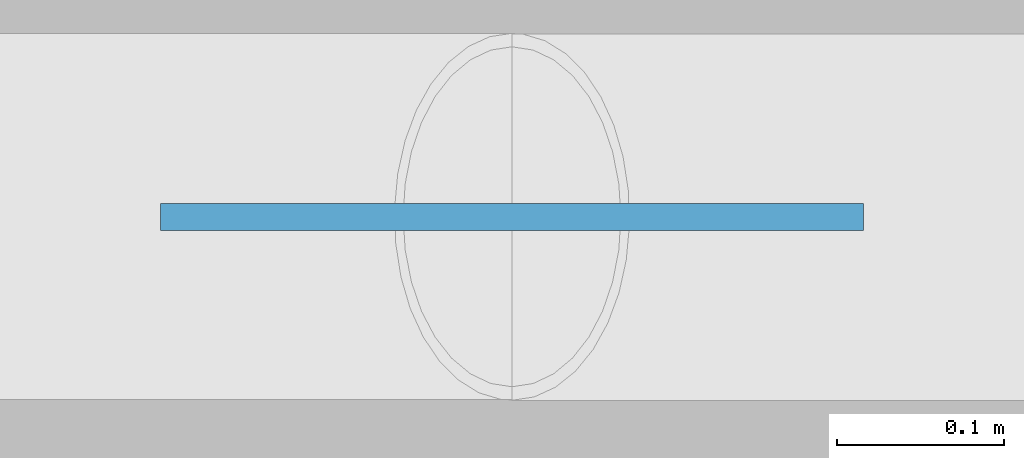
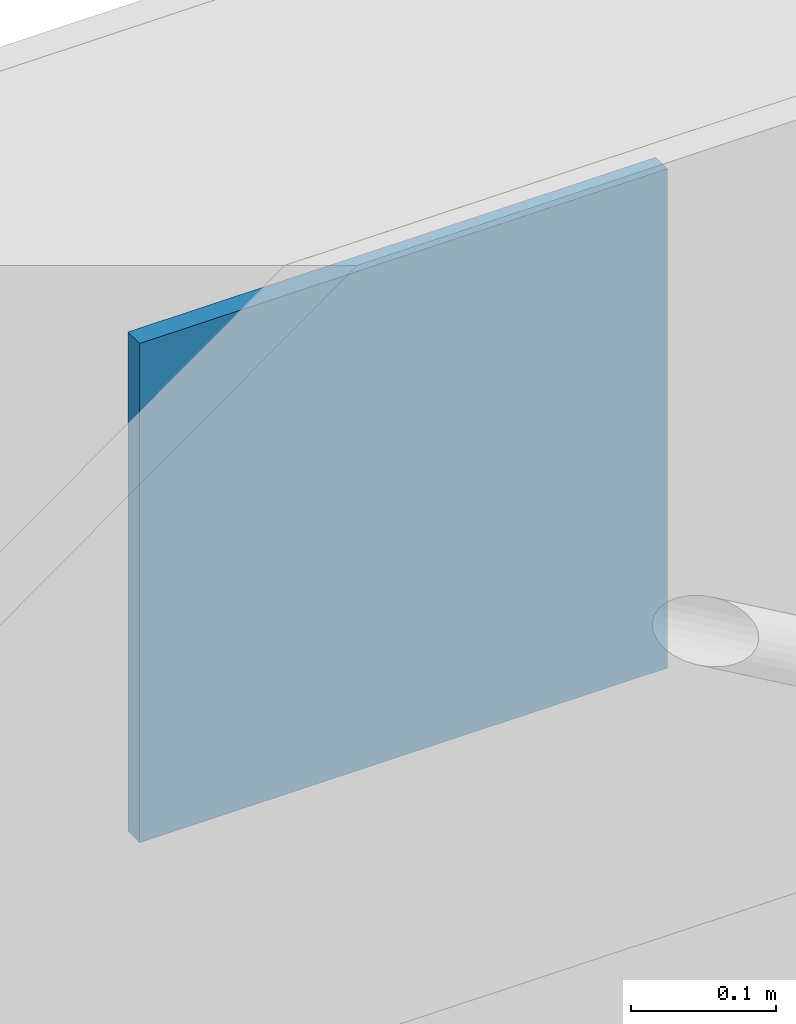
# One storey, part 5 of 13: 1 plate.
"""IFC4 building model written with IfcOpenShell, lengths in metres."""

import ifcopenshell
import ifcopenshell.guid

model = None  # the IFC model being written
_history = None  # IfcOwnerHistory: only IFC2X3 demands one
_inside = {}  # id of a spatial element -> (the spatial element, [elements in it])
_under = {}  # id of a project, library or spatial element -> (it, [spatial elements below it])
_declared = {}  # id of a project -> (the project, [libraries it declares])
_typed = {}  # id of a type object -> (the type object, [elements of that type])
_made_of = {}  # id of a material, layer set ... -> (it, [elements and type objects made of it])


def new_model(schema):
    """Start an empty IFC model of exactly this schema.

    Asked for "IFC4X3", IfcOpenShell would pick the latest addendum, in which some entities
    have other attributes; the version numbers below select the first issue.
    IFC2X3 requires an IfcOwnerHistory on every rooted entity: one is made here for all.
    """
    global model, _history
    if schema == "IFC4X3":
        model = ifcopenshell.file(schema_version=(4, 3, 0, 0))
    else:
        model = ifcopenshell.file(schema=schema)
    _inside.clear()
    _under.clear()
    _declared.clear()
    _typed.clear()
    _made_of.clear()
    _history = None
    if model.schema == "IFC2X3":
        org = make("IfcOrganization", Name="unknown")
        user = make(
            "IfcPersonAndOrganization",
            ThePerson=make("IfcPerson", FamilyName="unknown"),
            TheOrganization=org,
        )
        app = make(
            "IfcApplication",
            ApplicationDeveloper=org,
            Version="unknown",
            ApplicationFullName="unknown",
            ApplicationIdentifier="unknown",
        )
        _history = make(
            "IfcOwnerHistory",
            OwningUser=user,
            OwningApplication=app,
            ChangeAction="ADDED",
            CreationDate=0,
        )
    return model


def make(cls, **values):
    """One entity of the class cls with the attributes given. An attribute that is None is left unset."""
    return model.create_entity(
        cls, **{name: value for name, value in values.items() if value is not None}
    )


def rooted(cls, **values):
    """An entity with a GlobalId (a new one), such as an element, a storey or a relation."""
    return make(cls, GlobalId=ifcopenshell.guid.new(), OwnerHistory=_history, **values)


def si_unit(unit_type, name, prefix=None):
    """IfcSIUnit, for example si_unit("LENGTHUNIT", "METRE", prefix="MILLI")."""
    return make("IfcSIUnit", UnitType=unit_type, Prefix=prefix, Name=name)


def assignment(units):
    """IfcUnitAssignment: the units of a project."""
    return None if units is None else make("IfcUnitAssignment", Units=units)


def point(xyz):
    """IfcCartesianPoint."""
    return None if xyz is None else make("IfcCartesianPoint", Coordinates=xyz)


def direction(xyz):
    """IfcDirection."""
    return None if xyz is None else make("IfcDirection", DirectionRatios=xyz)


def frame(location, z_axis=None, x_axis=None):
    """IfcAxis2Placement3D, a coordinate frame: its origin and axes. An axis left out is left unset."""
    return make(
        "IfcAxis2Placement3D",
        Location=point(location),
        Axis=direction(z_axis),
        RefDirection=direction(x_axis),
    )


def frame_2d(location, x_axis=None):
    """IfcAxis2Placement2D, a coordinate frame in the plane: its origin and x axis."""
    return make(
        "IfcAxis2Placement2D", Location=point(location), RefDirection=direction(x_axis)
    )


def origin():
    """The frame at (0, 0, 0) with its axes left unset."""
    return frame((0.0, 0.0, 0.0))


def origin_2d():
    """The frame at (0, 0) in the plane with its x axis left unset."""
    return frame_2d((0.0, 0.0))


def place(relative_to, where):
    """IfcLocalPlacement: puts the frame where relative to a parent placement (None: the world)."""
    return make(
        "IfcLocalPlacement", PlacementRelTo=relative_to, RelativePlacement=where
    )


def context(
    kind, dimensions, precision=None, world=None, true_north=None, identifier=None
):
    """IfcGeometricRepresentationContext, for example the 3D "Model" context."""
    return make(
        "IfcGeometricRepresentationContext",
        ContextIdentifier=identifier,
        ContextType=kind,
        CoordinateSpaceDimension=dimensions,
        Precision=precision,
        WorldCoordinateSystem=world,
        TrueNorth=true_north,
    )


def subcontext(parent, identifier, kind, view, scale=None):
    """IfcGeometricRepresentationSubContext, for example "Body" below "Model"."""
    return make(
        "IfcGeometricRepresentationSubContext",
        ContextIdentifier=identifier,
        ContextType=kind,
        ParentContext=parent,
        TargetScale=scale,
        TargetView=view,
    )


def project(units=None, contexts=None):
    """IfcProject with its units and contexts."""
    return rooted(
        "IfcProject",
        Name="project",
        RepresentationContexts=contexts,
        UnitsInContext=assignment(units),
    )


def spatial(cls, under=None, at=None, **own):
    """A site, building, storey or space (cls), placed at a placement, below another one or the project."""
    s = rooted(cls, ObjectPlacement=at, **own)
    if under is not None:
        _under.setdefault(under.id(), (under, []))[1].append(s)
    return s


def profile(cls, at=None, kind="AREA", **sizes):
    """A parametric profile (cls). Its sizes go by their IFC names, for example OverallWidth=200.0."""
    return make(cls, ProfileType=kind, Position=at, **sizes)


def rectangle(**sizes):
    """IfcRectangleProfileDef."""
    return profile("IfcRectangleProfileDef", **sizes)


def extrude(swept, where, along, depth):
    """IfcExtrudedAreaSolid: the profile swept, set in the frame where, extruded along a direction by depth."""
    return make(
        "IfcExtrudedAreaSolid",
        SweptArea=swept,
        Position=where,
        ExtrudedDirection=direction(along),
        Depth=depth,
    )


def shape(context_of_items, identifier, shape_type, items):
    """IfcShapeRepresentation: the items that make up one representation, for example the "Body"."""
    return make(
        "IfcShapeRepresentation",
        ContextOfItems=context_of_items,
        RepresentationIdentifier=identifier,
        RepresentationType=shape_type,
        Items=items,
    )


def material(Name=None, Category=None):
    """IfcMaterial."""
    return make("IfcMaterial", Name=Name, Category=Category)


def layer(
    of_material, thickness, ventilated=None, Name=None, Category=None, Priority=None
):
    """IfcMaterialLayer: one layer of a wall or slab, of a material (None: an air gap)."""
    return make(
        "IfcMaterialLayer",
        Material=of_material,
        LayerThickness=thickness,
        IsVentilated=ventilated,
        Name=Name,
        Category=Category,
        Priority=Priority,
    )


def layer_set(layers, Name=None):
    """IfcMaterialLayerSet."""
    return make("IfcMaterialLayerSet", MaterialLayers=layers, LayerSetName=Name)


def made_of(thing, what):
    """Note that an element or type object is made of a material, layer set ...; save() writes the relation."""
    if what is not None:
        _made_of.setdefault(what.id(), (what, []))[1].append(thing)
    return thing


def type_object(cls, material=None, **own):
    """A type object (cls), such as IfcWallType, which elements share."""
    return made_of(rooted(cls, **own), material)


def element(
    cls,
    number,
    at=None,
    inside=None,
    cuts=None,
    type_object=None,
    material=None,
    context=None,
    identifier="Body",
    shape_type=None,
    held_by="IfcProductDefinitionShape",
    body=None,
    shapes=None,
    **own,
):
    """One element of the class cls, such as IfcWall. Its Tag is "e" and its number.

    at: its placement. inside: the storey or other place that contains it. cuts: it is an
    opening in that element (IfcRelVoidsElement). A single representation is given by context,
    identifier, shape_type and body (its items); several are given by shapes. held_by: the class
    of the entity that holds the representations. save() writes the other relations.
    """
    e = rooted(cls, Tag="e%d" % number, ObjectPlacement=at, **own)
    if body is not None:
        shapes = [shape(context, identifier, shape_type, body)]
    if shapes is not None:
        e.Representation = make(held_by, Representations=shapes)
    if inside is not None:
        _inside.setdefault(inside.id(), (inside, []))[1].append(e)
    if cuts is not None:
        rooted(
            "IfcRelVoidsElement", RelatingBuildingElement=cuts, RelatedOpeningElement=e
        )
    if type_object is not None:
        _typed.setdefault(type_object.id(), (type_object, []))[1].append(e)
    return made_of(e, material)


def aggregate(whole, parts):
    """IfcRelAggregates: a whole, such as a stair, and the parts it consists of."""
    return rooted("IfcRelAggregates", RelatingObject=whole, RelatedObjects=parts)


def save(model, path):
    """Write the relations noted so far, then the file.

    IfcRelAggregates (storeys below a building ...), IfcRelContainedInSpatialStructure (elements
    in a storey), IfcRelDefinesByType, IfcRelAssociatesMaterial and IfcRelDeclares: one each for
    every whole, place, type object, material and project.
    """
    for whole, parts in _under.values():
        aggregate(whole, parts)
    for where, things in _inside.values():
        rooted(
            "IfcRelContainedInSpatialStructure",
            RelatedElements=things,
            RelatingStructure=where,
        )
    for kind, things in _typed.values():
        rooted("IfcRelDefinesByType", RelatedObjects=things, RelatingType=kind)
    for what, things in _made_of.values():
        rooted("IfcRelAssociatesMaterial", RelatedObjects=things, RelatingMaterial=what)
    for by, libraries in _declared.values():
        rooted("IfcRelDeclares", RelatingContext=by, RelatedDefinitions=libraries)
    model.write(path)


model = new_model("IFC4")

# Units and contexts
model_context = context("Model", 3, precision=1e-05, world=origin(), true_north=direction((0.0, 1.0)))
body_context = subcontext(model_context, "Body", "Model", "MODEL_VIEW")
ifc_project = project(units=[si_unit("LENGTHUNIT", "METRE"), si_unit("AREAUNIT", "SQUARE_METRE"), si_unit("VOLUMEUNIT", "CUBIC_METRE"), si_unit("PLANEANGLEUNIT", "RADIAN"), si_unit("MASSUNIT", "GRAM", prefix="KILO")], contexts=[model_context])

# Site, building, storey
site_placement = place(None, origin())
site = spatial("IfcSite", under=ifc_project, at=site_placement, CompositionType="ELEMENT")
building_placement = place(site_placement, origin())
building = spatial("IfcBuilding", under=site, at=building_placement, Name="Chengyuan Square Courthouse", CompositionType="ELEMENT")
storey_placement = place(building_placement, frame((0.0, 0.0, 60.300048828125)))
storey = spatial("IfcBuildingStorey", under=building, at=storey_placement, Name="L14", CompositionType="ELEMENT", Elevation=60.300048828125)

# Plate
ifc_material = material(Name="Steel Q355B", Category="steel")
ifc_layer = layer(ifc_material, 0.01611328125)
ifc_layer_set = layer_set([ifc_layer], Name="Steel Q355B")
plate_type = type_object("IfcPlateType", Name="GP-01", PredefinedType="SHEET", material=ifc_layer_set)
plate_placement = place(storey_placement, frame((63.0, 108.0, 3.39990234375), z_axis=(0.0, 0.0, 1.0), x_axis=(1.0, 0.0, 0.0)))
element("IfcPlate", 1, at=plate_placement, inside=storey, type_object=plate_type, Name="Brace Gusset Plate GP-L14-07", PredefinedType="SHEET", context=body_context, shape_type="SweptSolid", body=[
    extrude(rectangle(XDim=0.419921875, YDim=0.01611328125, at=origin_2d()), origin(), (0.0, 0.0, 1.0), 0.419921875),
])

save(model, "model.ifc")
